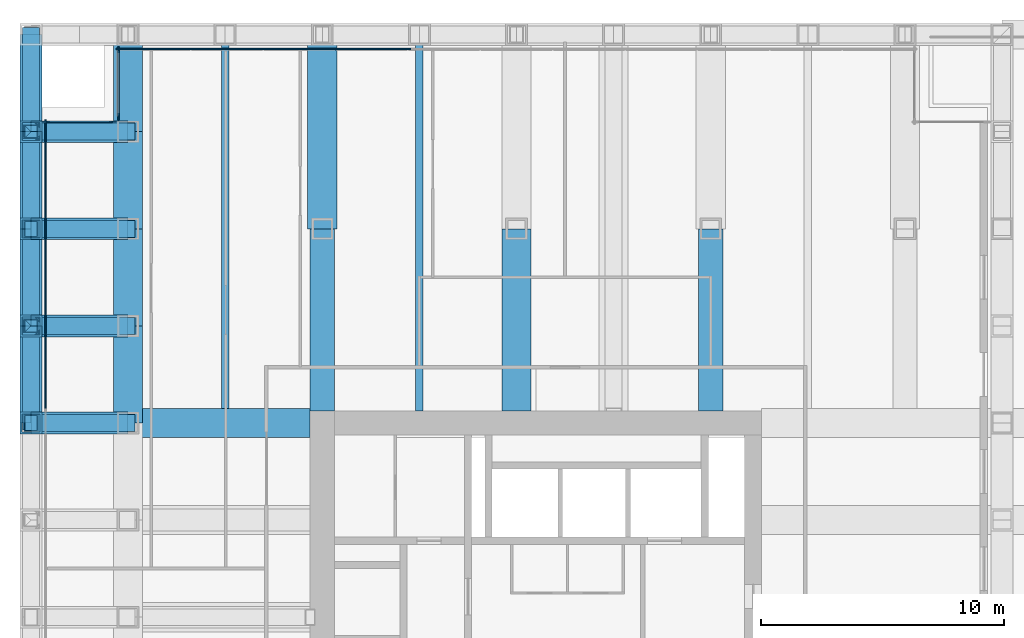
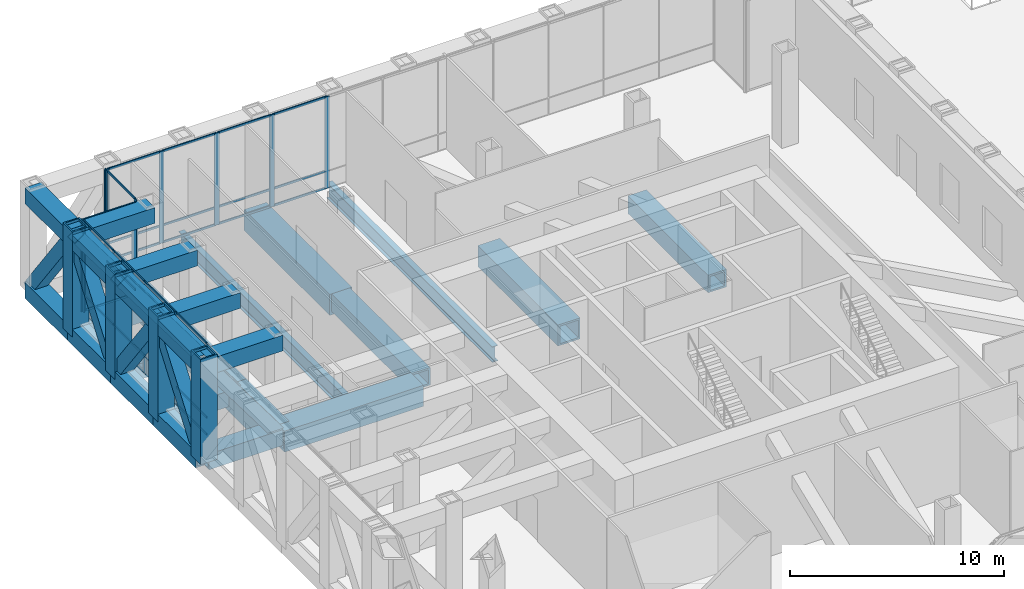
# One storey, part 6 of 13: 54 members, 27 beams, 4 elements without a shape of their own.
"""IFC4 building model written with IfcOpenShell, lengths in metres."""

from ifc_helpers import new_model, si_unit, direction, frame, origin, origin_2d, place, context, subcontext, project, spatial, rectangle, hollow_rectangle, i_section, extrude, material, material_profile, profile_set, type_object, element, aggregate, save


model = new_model("IFC4")

# Units and contexts
model_context = context("Model", 3, precision=1e-05, world=origin(), true_north=direction((0.0, 1.0)))
body_context = subcontext(model_context, "Body", "Model", "MODEL_VIEW")
ifc_project = project(units=[si_unit("LENGTHUNIT", "METRE"), si_unit("AREAUNIT", "SQUARE_METRE"), si_unit("VOLUMEUNIT", "CUBIC_METRE"), si_unit("PLANEANGLEUNIT", "RADIAN"), si_unit("MASSUNIT", "GRAM", prefix="KILO")], contexts=[model_context])

# Site, building, storey
site_placement = place(None, origin())
site = spatial("IfcSite", under=ifc_project, at=site_placement, CompositionType="ELEMENT")
building_placement = place(site_placement, origin())
building = spatial("IfcBuilding", under=site, at=building_placement, Name="Rimbunsela Tower", CompositionType="ELEMENT")
storey_placement = place(building_placement, frame((0.0, 0.0, 137.39990234375)))
storey = spatial("IfcBuildingStorey", under=building, at=storey_placement, Name="L33", CompositionType="ELEMENT", Elevation=137.39990234375)

# Beams
ifc_material_1 = material(Name="Steel BJ 55 (fy 410 MPa)", Category="steel")
ifc_material_profile_1 = material_profile(ifc_material_1, hollow_rectangle(XDim=1.0, YDim=1.0, WallThickness=0.10009765625, at=origin_2d()), Name="BOX 1000x1000x100")
ifc_profile_set_1 = profile_set([ifc_material_profile_1], Name="Steel BJ 55 (fy 410 MPa)")
beam_type_1 = type_object("IfcBeamType", Name="Beam BOX 1000x1000x100", PredefinedType="BEAM", material=ifc_profile_set_1)
for number, where, z_axis, x_axis, name in (
    (1, (18.0, 36.5, -0.64990234375), (0.0, 1.0, 0.0), (-1.0, 0.0, 0.0), "Beam B3 L33"),
    (2, (34.0, 36.5, -0.64990234375), (0.0, 1.0, 0.0), (-1.0, 0.0, 0.0), "Beam B3 L33"),
):
    element("IfcBeam", number, at=place(storey_placement, frame(where, z_axis=z_axis, x_axis=x_axis)), inside=storey, type_object=beam_type_1, Name=name, PredefinedType="BEAM", context=body_context, shape_type="SweptSolid", body=[
        extrude(hollow_rectangle(XDim=1.0, YDim=1.0, WallThickness=0.10009765625, at=origin_2d()), origin(), (0.0, 0.0, 1.0), 7.5),
    ])
ifc_material_2 = material(Name="Steel BJ 55 (fy 410 MPa)", Category="steel")
ifc_material_profile_2 = material_profile(ifc_material_2, hollow_rectangle(XDim=1.199951171875, YDim=1.199951171875, WallThickness=0.10009765625, at=origin_2d()), Name="BOX 1200x1200x100")
ifc_profile_set_2 = profile_set([ifc_material_profile_2], Name="Steel BJ 55 (fy 410 MPa)")
beam_type_2 = type_object("IfcBeamType", Name="Beam BOX 1200x1200x100", PredefinedType="BEAM", material=ifc_profile_set_2)
beam_1_placement = place(storey_placement, frame((26.0, 36.5, -0.75), z_axis=(0.0, 1.0, 0.0), x_axis=(-1.0, 0.0, 0.0)))
element("IfcBeam", 3, at=beam_1_placement, inside=storey, type_object=beam_type_2, Name="Beam B5 L33", PredefinedType="BEAM", context=body_context, shape_type="SweptSolid", body=[
    extrude(hollow_rectangle(XDim=1.199951171875, YDim=1.199951171875, WallThickness=0.10009765625, at=origin_2d()), origin(), (0.0, 0.0, 1.0), 7.5),
])
ifc_material_3 = material(Name="Steel BJ 55 (fy 410 MPa)", Category="steel")
ifc_material_profile_3 = material_profile(ifc_material_3, hollow_rectangle(XDim=1.199951171875, YDim=1.199951171875, WallThickness=0.125, at=origin_2d()), Name="BOX 1200x1200x125")
ifc_profile_set_3 = profile_set([ifc_material_profile_3], Name="Steel BJ 55 (fy 410 MPa)")
beam_type_3 = type_object("IfcBeamType", Name="Beam BOX 1200x1200x125", PredefinedType="BEAM", material=ifc_profile_set_3)
beam_2_placement = place(storey_placement, frame((10.0, 36.0, -0.75), z_axis=(0.0, 1.0, 0.0), x_axis=(-1.0, 0.0, 0.0)))
element("IfcBeam", 4, at=beam_2_placement, inside=storey, type_object=beam_type_3, Name="Beam B4 L33", PredefinedType="BEAM", context=body_context, shape_type="SweptSolid", body=[
    extrude(hollow_rectangle(XDim=1.199951171875, YDim=1.199951171875, WallThickness=0.125, at=origin_2d()), origin(), (0.0, 0.0, 1.0), 4.0),
])
beam_3_placement = place(storey_placement, frame((10.0, 36.0, -0.75), z_axis=(1.0, 0.0, 0.0), x_axis=(0.0, 1.0, 0.0)))
element("IfcBeam", 5, at=beam_3_placement, inside=storey, type_object=beam_type_3, Name="Beam B4 L33", PredefinedType="BEAM", context=body_context, shape_type="SweptSolid", body=[
    extrude(hollow_rectangle(XDim=1.199951171875, YDim=1.199951171875, WallThickness=0.125, at=origin_2d()), origin(), (0.0, 0.0, 1.0), 7.5),
])
for number, where, z_axis, x_axis, name in (
    (6, (10.0, 40.0, -0.75), (0.0, 1.0, 0.0), (-1.0, 0.0, 0.0), "Beam B4 L33"),
    (7, (10.0, 44.0, -0.75), (0.0, 1.0, 0.0), (-1.0, 0.0, 0.0), "Beam B4 L33"),
    (8, (10.0, 48.0, -0.75), (0.0, 1.0, 0.0), (-1.0, 0.0, 0.0), "Beam B4 L33"),
):
    element("IfcBeam", number, at=place(storey_placement, frame(where, z_axis=z_axis, x_axis=x_axis)), inside=storey, type_object=beam_type_3, Name=name, PredefinedType="BEAM", context=body_context, shape_type="SweptSolid", body=[
        extrude(hollow_rectangle(XDim=1.199951171875, YDim=1.199951171875, WallThickness=0.125, at=origin_2d()), origin(), (0.0, 0.0, 1.0), 4.0),
    ])
beam_4_placement = place(storey_placement, frame((18.0, 44.0, -0.75), z_axis=(0.0, 1.0, 0.0), x_axis=(-1.0, 0.0, 0.0)))
element("IfcBeam", 9, at=beam_4_placement, inside=storey, type_object=beam_type_3, Name="Beam B4 L33", PredefinedType="BEAM", context=body_context, shape_type="SweptSolid", body=[
    extrude(hollow_rectangle(XDim=1.199951171875, YDim=1.199951171875, WallThickness=0.125, at=origin_2d()), origin(), (0.0, 0.0, 1.0), 8.0),
])
ifc_material_4 = material(Name="Steel BJ 55 (fy 410 MPa)", Category="steel")
ifc_material_profile_4 = material_profile(ifc_material_4, i_section(OverallWidth=0.300048828125, OverallDepth=0.89990234375, WebThickness=0.01611328125, FlangeThickness=0.028076171875, FilletRadius=0.028076171875, at=origin_2d()), Name="H 900x300x16x28")
ifc_profile_set_4 = profile_set([ifc_material_profile_4], Name="Steel BJ 55 (fy 410 MPa)")
beam_type_4 = type_object("IfcBeamType", Name="Beam H 900x300x16x28", PredefinedType="BEAM", material=ifc_profile_set_4)
beam_5_placement = place(storey_placement, frame((14.0, 36.60009765625, -0.599853515625), z_axis=(0.0, 1.0, 0.0), x_axis=(-1.0, 0.0, 0.0)))
element("IfcBeam", 10, at=beam_5_placement, inside=storey, type_object=beam_type_4, Name="Beam B2 L33", PredefinedType="BEAM", context=body_context, shape_type="SweptSolid", body=[
    extrude(i_section(OverallWidth=0.300048828125, OverallDepth=0.89990234375, WebThickness=0.01611328125, FlangeThickness=0.028076171875, FilletRadius=0.028076171875, at=origin_2d()), origin(), (0.0, 0.0, 1.0), 15.39990234375),
])
beam_6_placement = place(storey_placement, frame((22.0, 36.5, -0.599853515625), z_axis=(0.0, 1.0, 0.0), x_axis=(-1.0, 0.0, 0.0)))
element("IfcBeam", 11, at=beam_6_placement, inside=storey, type_object=beam_type_4, Name="Beam B2 L33", PredefinedType="BEAM", context=body_context, shape_type="SweptSolid", body=[
    extrude(i_section(OverallWidth=0.300048828125, OverallDepth=0.89990234375, WebThickness=0.01611328125, FlangeThickness=0.028076171875, FilletRadius=0.028076171875, at=origin_2d()), origin(), (0.0, 0.0, 1.0), 15.5),
])

# Curtain wall, members
ifc_material_5 = material(Name="Aluminium curtain wall", Category="aluminium")
curtain_wall_type_1 = type_object("IfcCurtainWallType", Name="Plant floor louvre wall", PredefinedType="USERDEFINED", material=ifc_material_5)
curtain_wall_1_placement = place(storey_placement, origin())
curtain_wall_1 = element("IfcCurtainWall", 12, at=curtain_wall_1_placement, inside=storey, type_object=curtain_wall_type_1, Name="Plant floor louvre wall L33", ObjectType="PLANT FLOOR LOUVRE WALL", PredefinedType="USERDEFINED")
ifc_material_6 = material(Name="Aluminium mullion", Category="aluminium")
ifc_material_profile_5 = material_profile(ifc_material_6, rectangle(XDim=0.06005859375, YDim=0.25, at=origin_2d()), Name="Mullion 60x250")
ifc_profile_set_5 = profile_set([ifc_material_profile_5], Name="Aluminium mullion")
member_type_1 = type_object("IfcMemberType", Name="Curtain wall mullion 60x250", PredefinedType="MULLION", material=ifc_profile_set_5)
member_1_placement = place(storey_placement, frame((21.52734375, 51.39990234375, 0.0), z_axis=(0.0, 0.0, 1.0), x_axis=(0.0, -1.0, 0.0)))
member_1 = element("IfcMember", 13, at=member_1_placement, type_object=member_type_1, Name="CW3 mullion 8", PredefinedType="MULLION", context=body_context, shape_type="SweptSolid", body=[
    extrude(rectangle(XDim=0.06005859375, YDim=0.25, at=origin_2d()), origin(), (0.0, 0.0, 1.0), 5.25),
])
member_2_placement = place(storey_placement, frame((18.54541015625, 51.39990234375, 0.0), z_axis=(0.0, 0.0, 1.0), x_axis=(0.0, -1.0, 0.0)))
member_2 = element("IfcMember", 14, at=member_2_placement, type_object=member_type_1, Name="CW3 mullion 9", PredefinedType="MULLION", context=body_context, shape_type="SweptSolid", body=[
    extrude(rectangle(XDim=0.06005859375, YDim=0.25, at=origin_2d()), origin(), (0.0, 0.0, 1.0), 5.25),
])
member_3_placement = place(storey_placement, frame((15.563720703125, 51.39990234375, 0.0), z_axis=(0.0, 0.0, 1.0), x_axis=(0.0, -1.0, 0.0)))
member_3 = element("IfcMember", 15, at=member_3_placement, type_object=member_type_1, Name="CW3 mullion 10", PredefinedType="MULLION", context=body_context, shape_type="SweptSolid", body=[
    extrude(rectangle(XDim=0.06005859375, YDim=0.25, at=origin_2d()), origin(), (0.0, 0.0, 1.0), 5.25),
])
member_4_placement = place(storey_placement, frame((12.581787109375, 51.39990234375, 0.0), z_axis=(0.0, 0.0, 1.0), x_axis=(0.0, -1.0, 0.0)))
member_4 = element("IfcMember", 16, at=member_4_placement, type_object=member_type_1, Name="CW3 mullion 11", PredefinedType="MULLION", context=body_context, shape_type="SweptSolid", body=[
    extrude(rectangle(XDim=0.06005859375, YDim=0.25, at=origin_2d()), origin(), (0.0, 0.0, 1.0), 5.25),
])
member_5_placement = place(storey_placement, frame((9.6298828125, 51.39990234375, 0.0), z_axis=(0.0, 0.0, 1.0), x_axis=(0.0, -1.0, 0.0)))
member_5 = element("IfcMember", 17, at=member_5_placement, type_object=member_type_1, Name="CW3 mullion 12", PredefinedType="MULLION", context=body_context, shape_type="SweptSolid", body=[
    extrude(rectangle(XDim=0.06005859375, YDim=0.25, at=origin_2d()), origin(), (0.0, 0.0, 1.0), 5.25),
])

ifc_material_7 = material(Name="Aluminium curtain wall", Category="aluminium")
curtain_wall_type_2 = type_object("IfcCurtainWallType", Name="Corner glazing", PredefinedType="USERDEFINED", material=ifc_material_7)
curtain_wall_2_placement = place(storey_placement, origin())
curtain_wall_2 = element("IfcCurtainWall", 18, at=curtain_wall_2_placement, inside=storey, type_object=curtain_wall_type_2, Name="Corner glazing L33", ObjectType="CORNER GLAZING", PredefinedType="USERDEFINED")
member_6_placement = place(storey_placement, frame((9.60009765625, 51.3701171875, 0.0), z_axis=(0.0, 0.0, 1.0), x_axis=(1.0, 0.0, 0.0)))
member_6 = element("IfcMember", 19, at=member_6_placement, type_object=member_type_1, Name="CW5 mullion 1", PredefinedType="MULLION", context=body_context, shape_type="SweptSolid", body=[
    extrude(rectangle(XDim=0.06005859375, YDim=0.25, at=origin_2d()), origin(), (0.0, 0.0, 1.0), 5.25),
])
member_7_placement = place(storey_placement, frame((9.60009765625, 48.625, 0.0), z_axis=(0.0, 0.0, 1.0), x_axis=(1.0, 0.0, 0.0)))
member_7 = element("IfcMember", 20, at=member_7_placement, type_object=member_type_1, Name="CW5 mullion 2", PredefinedType="MULLION", context=body_context, shape_type="SweptSolid", body=[
    extrude(rectangle(XDim=0.06005859375, YDim=0.25, at=origin_2d()), origin(), (0.0, 0.0, 1.0), 5.25),
])

ifc_material_8 = material(Name="Aluminium curtain wall", Category="aluminium")
curtain_wall_type_3 = type_object("IfcCurtainWallType", Name="Spandrel wall", PredefinedType="USERDEFINED", material=ifc_material_8)
curtain_wall_3_placement = place(storey_placement, origin())
curtain_wall_3 = element("IfcCurtainWall", 21, at=curtain_wall_3_placement, inside=storey, type_object=curtain_wall_type_3, Name="Spandrel wall L33", ObjectType="SPANDREL WALL", PredefinedType="USERDEFINED")
member_8_placement = place(storey_placement, frame((9.375, 48.39990234375, 0.0), z_axis=(0.0, 0.0, 1.0), x_axis=(0.0, -1.0, 0.0)))
member_8 = element("IfcMember", 22, at=member_8_placement, type_object=member_type_1, Name="CW7 mullion 1", PredefinedType="MULLION", context=body_context, shape_type="SweptSolid", body=[
    extrude(rectangle(XDim=0.06005859375, YDim=0.25, at=origin_2d()), origin(), (0.0, 0.0, 1.0), 5.25),
])
member_9_placement = place(storey_placement, frame((6.6298828125, 48.39990234375, 0.0), z_axis=(0.0, 0.0, 1.0), x_axis=(0.0, -1.0, 0.0)))
member_9 = element("IfcMember", 23, at=member_9_placement, type_object=member_type_1, Name="CW7 mullion 2", PredefinedType="MULLION", context=body_context, shape_type="SweptSolid", body=[
    extrude(rectangle(XDim=0.06005859375, YDim=0.25, at=origin_2d()), origin(), (0.0, 0.0, 1.0), 5.25),
])

curtain_wall_4_placement = place(storey_placement, origin())
curtain_wall_4 = element("IfcCurtainWall", 24, at=curtain_wall_4_placement, inside=storey, type_object=curtain_wall_type_1, Name="Plant floor louvre wall L33", ObjectType="PLANT FLOOR LOUVRE WALL", PredefinedType="USERDEFINED")
member_10_placement = place(storey_placement, frame((6.60009765625, 48.3701171875, 0.0), z_axis=(0.0, 0.0, 1.0), x_axis=(1.0, 0.0, 0.0)))
member_10 = element("IfcMember", 25, at=member_10_placement, type_object=member_type_1, Name="CW3 mullion 1", PredefinedType="MULLION", context=body_context, shape_type="SweptSolid", body=[
    extrude(rectangle(XDim=0.06005859375, YDim=0.25, at=origin_2d()), origin(), (0.0, 0.0, 1.0), 5.25),
])
member_11_placement = place(storey_placement, frame((6.60009765625, 45.485595703125, 0.0), z_axis=(0.0, 0.0, 1.0), x_axis=(1.0, 0.0, 0.0)))
member_11 = element("IfcMember", 26, at=member_11_placement, type_object=member_type_1, Name="CW3 mullion 2", PredefinedType="MULLION", context=body_context, shape_type="SweptSolid", body=[
    extrude(rectangle(XDim=0.06005859375, YDim=0.25, at=origin_2d()), origin(), (0.0, 0.0, 1.0), 5.25),
])
member_12_placement = place(storey_placement, frame((6.60009765625, 42.571533203125, 0.0), z_axis=(0.0, 0.0, 1.0), x_axis=(1.0, 0.0, 0.0)))
member_12 = element("IfcMember", 27, at=member_12_placement, type_object=member_type_1, Name="CW3 mullion 3", PredefinedType="MULLION", context=body_context, shape_type="SweptSolid", body=[
    extrude(rectangle(XDim=0.06005859375, YDim=0.25, at=origin_2d()), origin(), (0.0, 0.0, 1.0), 5.25),
])
member_13_placement = place(storey_placement, frame((6.60009765625, 39.6572265625, 0.0), z_axis=(0.0, 0.0, 1.0), x_axis=(1.0, 0.0, 0.0)))
member_13 = element("IfcMember", 28, at=member_13_placement, type_object=member_type_1, Name="CW3 mullion 4", PredefinedType="MULLION", context=body_context, shape_type="SweptSolid", body=[
    extrude(rectangle(XDim=0.06005859375, YDim=0.25, at=origin_2d()), origin(), (0.0, 0.0, 1.0), 5.25),
])
member_14_placement = place(storey_placement, frame((6.60009765625, 36.742919921875, 0.0), z_axis=(0.0, 0.0, 1.0), x_axis=(1.0, 0.0, 0.0)))
member_14 = element("IfcMember", 29, at=member_14_placement, type_object=member_type_1, Name="CW3 mullion 5", PredefinedType="MULLION", context=body_context, shape_type="SweptSolid", body=[
    extrude(rectangle(XDim=0.06005859375, YDim=0.25, at=origin_2d()), origin(), (0.0, 0.0, 1.0), 5.25),
])

# Member
ifc_material_9 = material(Name="Aluminium transom", Category="aluminium")
ifc_material_profile_6 = material_profile(ifc_material_9, rectangle(XDim=0.06005859375, YDim=0.1201171875, at=origin_2d()), Name="Transom 60x120")
ifc_profile_set_6 = profile_set([ifc_material_profile_6], Name="Aluminium transom")
member_type_2 = type_object("IfcMemberType", Name="Curtain wall transom 60x120", PredefinedType="USERDEFINED", material=ifc_profile_set_6)
member_15_placement = place(storey_placement, frame((21.497314453125, 51.39990234375, 0.030029296875), z_axis=(-1.0, 0.0, 0.0), x_axis=(0.0, -1.0, 0.0)))
member_15 = element("IfcMember", 30, at=member_15_placement, type_object=member_type_2, Name="CW3 transom 8.1", ObjectType="TRANSOM", PredefinedType="USERDEFINED", context=body_context, shape_type="SweptSolid", body=[
    extrude(rectangle(XDim=0.06005859375, YDim=0.1201171875, at=origin_2d()), origin(), (0.0, 0.0, 1.0), 2.921875),
])

member_16_placement = place(storey_placement, frame((21.497314453125, 51.39990234375, 1.0), z_axis=(-1.0, 0.0, 0.0), x_axis=(0.0, -1.0, 0.0)))
member_16 = element("IfcMember", 31, at=member_16_placement, type_object=member_type_2, Name="CW3 transom 8.2", ObjectType="TRANSOM", PredefinedType="USERDEFINED", context=body_context, shape_type="SweptSolid", body=[
    extrude(rectangle(XDim=0.06005859375, YDim=0.1201171875, at=origin_2d()), origin(), (0.0, 0.0, 1.0), 2.921875),
])

member_17_placement = place(storey_placement, frame((21.497314453125, 51.39990234375, 5.22021484375), z_axis=(-1.0, 0.0, 0.0), x_axis=(0.0, -1.0, 0.0)))
member_17 = element("IfcMember", 32, at=member_17_placement, type_object=member_type_2, Name="CW3 transom 8.3", ObjectType="TRANSOM", PredefinedType="USERDEFINED", context=body_context, shape_type="SweptSolid", body=[
    extrude(rectangle(XDim=0.06005859375, YDim=0.1201171875, at=origin_2d()), origin(), (0.0, 0.0, 1.0), 2.921875),
])

member_18_placement = place(storey_placement, frame((18.515380859375, 51.39990234375, 0.030029296875), z_axis=(-1.0, 0.0, 0.0), x_axis=(0.0, -1.0, 0.0)))
member_18 = element("IfcMember", 33, at=member_18_placement, type_object=member_type_2, Name="CW3 transom 9.1", ObjectType="TRANSOM", PredefinedType="USERDEFINED", context=body_context, shape_type="SweptSolid", body=[
    extrude(rectangle(XDim=0.06005859375, YDim=0.1201171875, at=origin_2d()), origin(), (0.0, 0.0, 1.0), 2.921630859375),
])

member_19_placement = place(storey_placement, frame((18.515380859375, 51.39990234375, 1.0), z_axis=(-1.0, 0.0, 0.0), x_axis=(0.0, -1.0, 0.0)))
member_19 = element("IfcMember", 34, at=member_19_placement, type_object=member_type_2, Name="CW3 transom 9.2", ObjectType="TRANSOM", PredefinedType="USERDEFINED", context=body_context, shape_type="SweptSolid", body=[
    extrude(rectangle(XDim=0.06005859375, YDim=0.1201171875, at=origin_2d()), origin(), (0.0, 0.0, 1.0), 2.921630859375),
])

member_20_placement = place(storey_placement, frame((18.515380859375, 51.39990234375, 5.22021484375), z_axis=(-1.0, 0.0, 0.0), x_axis=(0.0, -1.0, 0.0)))
member_20 = element("IfcMember", 35, at=member_20_placement, type_object=member_type_2, Name="CW3 transom 9.3", ObjectType="TRANSOM", PredefinedType="USERDEFINED", context=body_context, shape_type="SweptSolid", body=[
    extrude(rectangle(XDim=0.06005859375, YDim=0.1201171875, at=origin_2d()), origin(), (0.0, 0.0, 1.0), 2.921630859375),
])

member_21_placement = place(storey_placement, frame((15.53369140625, 51.39990234375, 0.030029296875), z_axis=(-1.0, 0.0, 0.0), x_axis=(0.0, -1.0, 0.0)))
member_21 = element("IfcMember", 36, at=member_21_placement, type_object=member_type_2, Name="CW3 transom 10.1", ObjectType="TRANSOM", PredefinedType="USERDEFINED", context=body_context, shape_type="SweptSolid", body=[
    extrude(rectangle(XDim=0.06005859375, YDim=0.1201171875, at=origin_2d()), origin(), (0.0, 0.0, 1.0), 2.921875),
])

member_22_placement = place(storey_placement, frame((15.53369140625, 51.39990234375, 1.0), z_axis=(-1.0, 0.0, 0.0), x_axis=(0.0, -1.0, 0.0)))
member_22 = element("IfcMember", 37, at=member_22_placement, type_object=member_type_2, Name="CW3 transom 10.2", ObjectType="TRANSOM", PredefinedType="USERDEFINED", context=body_context, shape_type="SweptSolid", body=[
    extrude(rectangle(XDim=0.06005859375, YDim=0.1201171875, at=origin_2d()), origin(), (0.0, 0.0, 1.0), 2.921875),
])

member_23_placement = place(storey_placement, frame((15.53369140625, 51.39990234375, 5.22021484375), z_axis=(-1.0, 0.0, 0.0), x_axis=(0.0, -1.0, 0.0)))
member_23 = element("IfcMember", 38, at=member_23_placement, type_object=member_type_2, Name="CW3 transom 10.3", ObjectType="TRANSOM", PredefinedType="USERDEFINED", context=body_context, shape_type="SweptSolid", body=[
    extrude(rectangle(XDim=0.06005859375, YDim=0.1201171875, at=origin_2d()), origin(), (0.0, 0.0, 1.0), 2.921875),
])

member_24_placement = place(storey_placement, frame((12.5517578125, 51.39990234375, 0.030029296875), z_axis=(-1.0, 0.0, 0.0), x_axis=(0.0, -1.0, 0.0)))
member_24 = element("IfcMember", 39, at=member_24_placement, type_object=member_type_2, Name="CW3 transom 11.1", ObjectType="TRANSOM", PredefinedType="USERDEFINED", context=body_context, shape_type="SweptSolid", body=[
    extrude(rectangle(XDim=0.06005859375, YDim=0.1201171875, at=origin_2d()), origin(), (0.0, 0.0, 1.0), 2.891845703125),
])

member_25_placement = place(storey_placement, frame((12.5517578125, 51.39990234375, 1.0), z_axis=(-1.0, 0.0, 0.0), x_axis=(0.0, -1.0, 0.0)))
member_25 = element("IfcMember", 40, at=member_25_placement, type_object=member_type_2, Name="CW3 transom 11.2", ObjectType="TRANSOM", PredefinedType="USERDEFINED", context=body_context, shape_type="SweptSolid", body=[
    extrude(rectangle(XDim=0.06005859375, YDim=0.1201171875, at=origin_2d()), origin(), (0.0, 0.0, 1.0), 2.891845703125),
])

member_26_placement = place(storey_placement, frame((12.5517578125, 51.39990234375, 5.22021484375), z_axis=(-1.0, 0.0, 0.0), x_axis=(0.0, -1.0, 0.0)))
member_26 = element("IfcMember", 41, at=member_26_placement, type_object=member_type_2, Name="CW3 transom 11.3", ObjectType="TRANSOM", PredefinedType="USERDEFINED", context=body_context, shape_type="SweptSolid", body=[
    extrude(rectangle(XDim=0.06005859375, YDim=0.1201171875, at=origin_2d()), origin(), (0.0, 0.0, 1.0), 2.891845703125),
])

aggregate(curtain_wall_1, [member_1, member_2, member_3, member_4, member_5, member_15, member_16, member_17, member_18, member_19, member_20, member_21, member_22, member_23, member_24, member_25, member_26])

member_27_placement = place(storey_placement, frame((9.60009765625, 51.340087890625, 0.030029296875), z_axis=(0.0, -1.0, 0.0), x_axis=(1.0, 0.0, 0.0)))
member_27 = element("IfcMember", 42, at=member_27_placement, type_object=member_type_2, Name="CW5 transom 1.1", ObjectType="TRANSOM", PredefinedType="USERDEFINED", context=body_context, shape_type="SweptSolid", body=[
    extrude(rectangle(XDim=0.06005859375, YDim=0.1201171875, at=origin_2d()), origin(), (0.0, 0.0, 1.0), 2.68505859375),
])

member_28_placement = place(storey_placement, frame((9.60009765625, 51.340087890625, 5.22021484375), z_axis=(0.0, -1.0, 0.0), x_axis=(1.0, 0.0, 0.0)))
member_28 = element("IfcMember", 43, at=member_28_placement, type_object=member_type_2, Name="CW5 transom 1.2", ObjectType="TRANSOM", PredefinedType="USERDEFINED", context=body_context, shape_type="SweptSolid", body=[
    extrude(rectangle(XDim=0.06005859375, YDim=0.1201171875, at=origin_2d()), origin(), (0.0, 0.0, 1.0), 2.68505859375),
])

aggregate(curtain_wall_2, [member_6, member_7, member_27, member_28])

member_29_placement = place(storey_placement, frame((9.344970703125, 48.39990234375, 0.030029296875), z_axis=(-1.0, 0.0, 0.0), x_axis=(0.0, -1.0, 0.0)))
member_29 = element("IfcMember", 44, at=member_29_placement, type_object=member_type_2, Name="CW7 transom 1.1", ObjectType="TRANSOM", PredefinedType="USERDEFINED", context=body_context, shape_type="SweptSolid", body=[
    extrude(rectangle(XDim=0.06005859375, YDim=0.1201171875, at=origin_2d()), origin(), (0.0, 0.0, 1.0), 2.68505859375),
])

member_30_placement = place(storey_placement, frame((9.344970703125, 48.39990234375, 5.22021484375), z_axis=(-1.0, 0.0, 0.0), x_axis=(0.0, -1.0, 0.0)))
member_30 = element("IfcMember", 45, at=member_30_placement, type_object=member_type_2, Name="CW7 transom 1.2", ObjectType="TRANSOM", PredefinedType="USERDEFINED", context=body_context, shape_type="SweptSolid", body=[
    extrude(rectangle(XDim=0.06005859375, YDim=0.1201171875, at=origin_2d()), origin(), (0.0, 0.0, 1.0), 2.68505859375),
])

aggregate(curtain_wall_3, [member_8, member_9, member_29, member_30])

member_31_placement = place(storey_placement, frame((6.60009765625, 48.340087890625, 0.030029296875), z_axis=(0.0, -1.0, 0.0), x_axis=(1.0, 0.0, 0.0)))
member_31 = element("IfcMember", 46, at=member_31_placement, type_object=member_type_2, Name="CW3 transom 1.1", ObjectType="TRANSOM", PredefinedType="USERDEFINED", context=body_context, shape_type="SweptSolid", body=[
    extrude(rectangle(XDim=0.06005859375, YDim=0.1201171875, at=origin_2d()), origin(), (0.0, 0.0, 1.0), 2.824462890625),
])

member_32_placement = place(storey_placement, frame((6.60009765625, 48.340087890625, 1.0), z_axis=(0.0, -1.0, 0.0), x_axis=(1.0, 0.0, 0.0)))
member_32 = element("IfcMember", 47, at=member_32_placement, type_object=member_type_2, Name="CW3 transom 1.2", ObjectType="TRANSOM", PredefinedType="USERDEFINED", context=body_context, shape_type="SweptSolid", body=[
    extrude(rectangle(XDim=0.06005859375, YDim=0.1201171875, at=origin_2d()), origin(), (0.0, 0.0, 1.0), 2.824462890625),
])

member_33_placement = place(storey_placement, frame((6.60009765625, 48.340087890625, 5.22021484375), z_axis=(0.0, -1.0, 0.0), x_axis=(1.0, 0.0, 0.0)))
member_33 = element("IfcMember", 48, at=member_33_placement, type_object=member_type_2, Name="CW3 transom 1.3", ObjectType="TRANSOM", PredefinedType="USERDEFINED", context=body_context, shape_type="SweptSolid", body=[
    extrude(rectangle(XDim=0.06005859375, YDim=0.1201171875, at=origin_2d()), origin(), (0.0, 0.0, 1.0), 2.824462890625),
])

member_34_placement = place(storey_placement, frame((6.60009765625, 45.455810546875, 0.030029296875), z_axis=(0.0, -1.0, 0.0), x_axis=(1.0, 0.0, 0.0)))
member_34 = element("IfcMember", 49, at=member_34_placement, type_object=member_type_2, Name="CW3 transom 2.1", ObjectType="TRANSOM", PredefinedType="USERDEFINED", context=body_context, shape_type="SweptSolid", body=[
    extrude(rectangle(XDim=0.06005859375, YDim=0.1201171875, at=origin_2d()), origin(), (0.0, 0.0, 1.0), 2.8544921875),
])

member_35_placement = place(storey_placement, frame((6.60009765625, 45.455810546875, 1.0), z_axis=(0.0, -1.0, 0.0), x_axis=(1.0, 0.0, 0.0)))
member_35 = element("IfcMember", 50, at=member_35_placement, type_object=member_type_2, Name="CW3 transom 2.2", ObjectType="TRANSOM", PredefinedType="USERDEFINED", context=body_context, shape_type="SweptSolid", body=[
    extrude(rectangle(XDim=0.06005859375, YDim=0.1201171875, at=origin_2d()), origin(), (0.0, 0.0, 1.0), 2.8544921875),
])

member_36_placement = place(storey_placement, frame((6.60009765625, 45.455810546875, 5.22021484375), z_axis=(0.0, -1.0, 0.0), x_axis=(1.0, 0.0, 0.0)))
member_36 = element("IfcMember", 51, at=member_36_placement, type_object=member_type_2, Name="CW3 transom 2.3", ObjectType="TRANSOM", PredefinedType="USERDEFINED", context=body_context, shape_type="SweptSolid", body=[
    extrude(rectangle(XDim=0.06005859375, YDim=0.1201171875, at=origin_2d()), origin(), (0.0, 0.0, 1.0), 2.8544921875),
])

member_37_placement = place(storey_placement, frame((6.60009765625, 42.54150390625, 0.030029296875), z_axis=(0.0, -1.0, 0.0), x_axis=(1.0, 0.0, 0.0)))
member_37 = element("IfcMember", 52, at=member_37_placement, type_object=member_type_2, Name="CW3 transom 3.1", ObjectType="TRANSOM", PredefinedType="USERDEFINED", context=body_context, shape_type="SweptSolid", body=[
    extrude(rectangle(XDim=0.06005859375, YDim=0.1201171875, at=origin_2d()), origin(), (0.0, 0.0, 1.0), 2.854248046875),
])

member_38_placement = place(storey_placement, frame((6.60009765625, 42.54150390625, 1.0), z_axis=(0.0, -1.0, 0.0), x_axis=(1.0, 0.0, 0.0)))
member_38 = element("IfcMember", 53, at=member_38_placement, type_object=member_type_2, Name="CW3 transom 3.2", ObjectType="TRANSOM", PredefinedType="USERDEFINED", context=body_context, shape_type="SweptSolid", body=[
    extrude(rectangle(XDim=0.06005859375, YDim=0.1201171875, at=origin_2d()), origin(), (0.0, 0.0, 1.0), 2.854248046875),
])

member_39_placement = place(storey_placement, frame((6.60009765625, 42.54150390625, 5.22021484375), z_axis=(0.0, -1.0, 0.0), x_axis=(1.0, 0.0, 0.0)))
member_39 = element("IfcMember", 54, at=member_39_placement, type_object=member_type_2, Name="CW3 transom 3.3", ObjectType="TRANSOM", PredefinedType="USERDEFINED", context=body_context, shape_type="SweptSolid", body=[
    extrude(rectangle(XDim=0.06005859375, YDim=0.1201171875, at=origin_2d()), origin(), (0.0, 0.0, 1.0), 2.854248046875),
])

member_40_placement = place(storey_placement, frame((6.60009765625, 39.627197265625, 0.030029296875), z_axis=(0.0, -1.0, 0.0), x_axis=(1.0, 0.0, 0.0)))
member_40 = element("IfcMember", 55, at=member_40_placement, type_object=member_type_2, Name="CW3 transom 4.1", ObjectType="TRANSOM", PredefinedType="USERDEFINED", context=body_context, shape_type="SweptSolid", body=[
    extrude(rectangle(XDim=0.06005859375, YDim=0.1201171875, at=origin_2d()), origin(), (0.0, 0.0, 1.0), 2.854248046875),
])

member_41_placement = place(storey_placement, frame((6.60009765625, 39.627197265625, 1.0), z_axis=(0.0, -1.0, 0.0), x_axis=(1.0, 0.0, 0.0)))
member_41 = element("IfcMember", 56, at=member_41_placement, type_object=member_type_2, Name="CW3 transom 4.2", ObjectType="TRANSOM", PredefinedType="USERDEFINED", context=body_context, shape_type="SweptSolid", body=[
    extrude(rectangle(XDim=0.06005859375, YDim=0.1201171875, at=origin_2d()), origin(), (0.0, 0.0, 1.0), 2.854248046875),
])

member_42_placement = place(storey_placement, frame((6.60009765625, 39.627197265625, 5.22021484375), z_axis=(0.0, -1.0, 0.0), x_axis=(1.0, 0.0, 0.0)))
member_42 = element("IfcMember", 57, at=member_42_placement, type_object=member_type_2, Name="CW3 transom 4.3", ObjectType="TRANSOM", PredefinedType="USERDEFINED", context=body_context, shape_type="SweptSolid", body=[
    extrude(rectangle(XDim=0.06005859375, YDim=0.1201171875, at=origin_2d()), origin(), (0.0, 0.0, 1.0), 2.854248046875),
])

aggregate(curtain_wall_4, [member_10, member_11, member_12, member_13, member_14, member_31, member_32, member_33, member_34, member_35, member_36, member_37, member_38, member_39, member_40, member_41, member_42])

# Beams
ifc_material_10 = material(Name="Steel BJ 55 (fy 410 MPa)", Category="steel")
ifc_material_profile_7 = material_profile(ifc_material_10, hollow_rectangle(XDim=0.89990234375, YDim=0.89990234375, WallThickness=0.080078125, at=origin_2d()), Name="BOX 900x900x80")
ifc_profile_set_7 = profile_set([ifc_material_profile_7], Name="Steel BJ 55 (fy 410 MPa)")
beam_type_5 = type_object("IfcBeamType", Name="Truss chord BOX 900x900x80", PredefinedType="USERDEFINED", material=ifc_profile_set_7)
for number, where, z_axis, x_axis, name in (
    (58, (6.0, 36.0, 4.800048828125), (0.0, 1.0, 0.0), (-1.0, 0.0, 0.0), "Truss top chord TC3 W face L33"),
    (59, (6.0, 40.0, 4.800048828125), (0.0, 1.0, 0.0), (-1.0, 0.0, 0.0), "Truss top chord TC3 W face L33"),
    (60, (6.0, 44.0, 4.800048828125), (0.0, 1.0, 0.0), (-1.0, 0.0, 0.0), "Truss top chord TC3 W face L33"),
    (61, (6.0, 48.0, 4.800048828125), (0.0, 1.0, 0.0), (-1.0, 0.0, 0.0), "Truss top chord TC3 W face L33"),
    (62, (10.0, 36.0, -0.599853515625), (-1.0, 0.0, 0.0), (0.0, -1.0, 0.0), "Cantilever truss bottom chord TC3 4/L L33"),
    (63, (10.0, 36.0, 4.800048828125), (-1.0, 0.0, 0.0), (0.0, -1.0, 0.0), "Cantilever truss top chord TC3 4/L L33"),
    (64, (10.0, 40.0, -0.599853515625), (-1.0, 0.0, 0.0), (0.0, -1.0, 0.0), "Cantilever truss bottom chord TC3 4/M L33"),
    (65, (10.0, 40.0, 4.800048828125), (-1.0, 0.0, 0.0), (0.0, -1.0, 0.0), "Cantilever truss top chord TC3 4/M L33"),
    (66, (10.0, 44.0, -0.599853515625), (-1.0, 0.0, 0.0), (0.0, -1.0, 0.0), "Cantilever truss bottom chord TC3 4/N L33"),
    (67, (10.0, 44.0, 4.800048828125), (-1.0, 0.0, 0.0), (0.0, -1.0, 0.0), "Cantilever truss top chord TC3 4/N L33"),
    (68, (10.0, 48.0, -0.599853515625), (-1.0, 0.0, 0.0), (0.0, -1.0, 0.0), "Cantilever truss bottom chord TC3 4/P L33"),
    (69, (10.0, 48.0, 4.800048828125), (-1.0, 0.0, 0.0), (0.0, -1.0, 0.0), "Cantilever truss top chord TC3 4/P L33"),
    (70, (6.0, 36.0, -0.599853515625), (0.0, 1.0, 0.0), (-1.0, 0.0, 0.0), "Truss bottom chord TC3 W face L33"),
    (71, (6.0, 40.0, -0.599853515625), (0.0, 1.0, 0.0), (-1.0, 0.0, 0.0), "Truss bottom chord TC3 W face L33"),
    (72, (6.0, 44.0, -0.599853515625), (0.0, 1.0, 0.0), (-1.0, 0.0, 0.0), "Truss bottom chord TC3 W face L33"),
    (73, (6.0, 48.0, -0.599853515625), (0.0, 1.0, 0.0), (-1.0, 0.0, 0.0), "Truss bottom chord TC3 W face L33"),
):
    element("IfcBeam", number, at=place(storey_placement, frame(where, z_axis=z_axis, x_axis=x_axis)), inside=storey, type_object=beam_type_5, Name=name, ObjectType="TRUSS CHORD", PredefinedType="USERDEFINED", context=body_context, shape_type="SweptSolid", body=[
        extrude(hollow_rectangle(XDim=0.89990234375, YDim=0.89990234375, WallThickness=0.080078125, at=origin_2d()), origin(), (0.0, 0.0, 1.0), 4.0),
    ])

# Members
ifc_material_11 = material(Name="Steel BJ 55 (fy 410 MPa)", Category="steel")
ifc_material_profile_8 = material_profile(ifc_material_11, hollow_rectangle(XDim=0.699951171875, YDim=0.699951171875, WallThickness=0.0400390625, at=origin_2d()), Name="BOX 700x700x40")
ifc_profile_set_8 = profile_set([ifc_material_profile_8], Name="Steel BJ 55 (fy 410 MPa)")
member_type_3 = type_object("IfcMemberType", Name="Truss diagonal BOX 700x700x40", PredefinedType="BRACE", material=ifc_profile_set_8)
for number, where, z_axis, x_axis, name in (
    (74, (6.0, 36.0, -0.599853515625), (0.0, 0.595234501294, 0.803552044655), (-1.0, 0.0, 0.0), "Truss diagonal TD3 W face L33"),
    (75, (6.0, 40.0, 4.800048828125), (0.0, 0.595234501294, -0.803552044655), (-1.0, 0.0, 0.0), "Truss diagonal TD3 W face L33"),
    (76, (6.0, 44.0, -0.599853515625), (0.0, 0.595234501294, 0.803552044655), (-1.0, 0.0, 0.0), "Truss diagonal TD3 W face L33"),
    (77, (6.0, 48.0, 4.800048828125), (0.0, 0.595234501294, -0.803552044655), (-1.0, 0.0, 0.0), "Truss diagonal TD3 W face L33"),
    (78, (10.0, 36.0, -0.599853515625), (-0.595234501294, 0.0, 0.803552044655), (0.0, -1.0, 0.0), "Cantilever truss diagonal TD3 4/L L33"),
    (79, (10.0, 40.0, -0.599853515625), (-0.595234501294, 0.0, 0.803552044655), (0.0, -1.0, 0.0), "Cantilever truss diagonal TD3 4/M L33"),
    (80, (10.0, 44.0, -0.599853515625), (-0.595234501294, 0.0, 0.803552044655), (0.0, -1.0, 0.0), "Cantilever truss diagonal TD3 4/N L33"),
    (81, (10.0, 48.0, -0.599853515625), (-0.595234501294, 0.0, 0.803552044655), (0.0, -1.0, 0.0), "Cantilever truss diagonal TD3 4/P L33"),
):
    element("IfcMember", number, at=place(storey_placement, frame(where, z_axis=z_axis, x_axis=x_axis)), inside=storey, type_object=member_type_3, Name=name, PredefinedType="BRACE", context=body_context, shape_type="SweptSolid", body=[
        extrude(hollow_rectangle(XDim=0.699951171875, YDim=0.699951171875, WallThickness=0.0400390625, at=origin_2d()), origin(), (0.0, 0.0, 1.0), 6.719970703125),
    ])
ifc_material_12 = material(Name="Steel BJ 55 (fy 410 MPa)", Category="steel")
ifc_material_profile_9 = material_profile(ifc_material_12, hollow_rectangle(XDim=0.89990234375, YDim=0.89990234375, WallThickness=0.080078125, at=origin_2d()), Name="BOX 900x900x80")
ifc_profile_set_9 = profile_set([ifc_material_profile_9], Name="Steel BJ 55 (fy 410 MPa)")
member_type_4 = type_object("IfcMemberType", Name="Truss post BOX 900x900x80", PredefinedType="POST", material=ifc_profile_set_9)
for number, where, z_axis, x_axis, name in (
    (82, (6.0, 36.0, -0.599853515625), (0.0, 0.0, 1.0), (1.0, 0.0, 0.0), "Truss post TP3 4/L L33"),
    (83, (6.0, 40.0, -0.599853515625), (0.0, 0.0, 1.0), (1.0, 0.0, 0.0), "Truss post TP3 4/M L33"),
    (84, (6.0, 44.0, -0.599853515625), (0.0, 0.0, 1.0), (1.0, 0.0, 0.0), "Truss post TP3 4/N L33"),
    (85, (6.0, 48.0, -0.599853515625), (0.0, 0.0, 1.0), (1.0, 0.0, 0.0), "Truss post TP3 4/P L33"),
):
    element("IfcMember", number, at=place(storey_placement, frame(where, z_axis=z_axis, x_axis=x_axis)), inside=storey, type_object=member_type_4, Name=name, PredefinedType="POST", context=body_context, shape_type="SweptSolid", body=[
        extrude(hollow_rectangle(XDim=0.89990234375, YDim=0.89990234375, WallThickness=0.080078125, at=origin_2d()), origin(), (0.0, 0.0, 1.0), 6.0),
    ])

save(model, "model.ifc")
